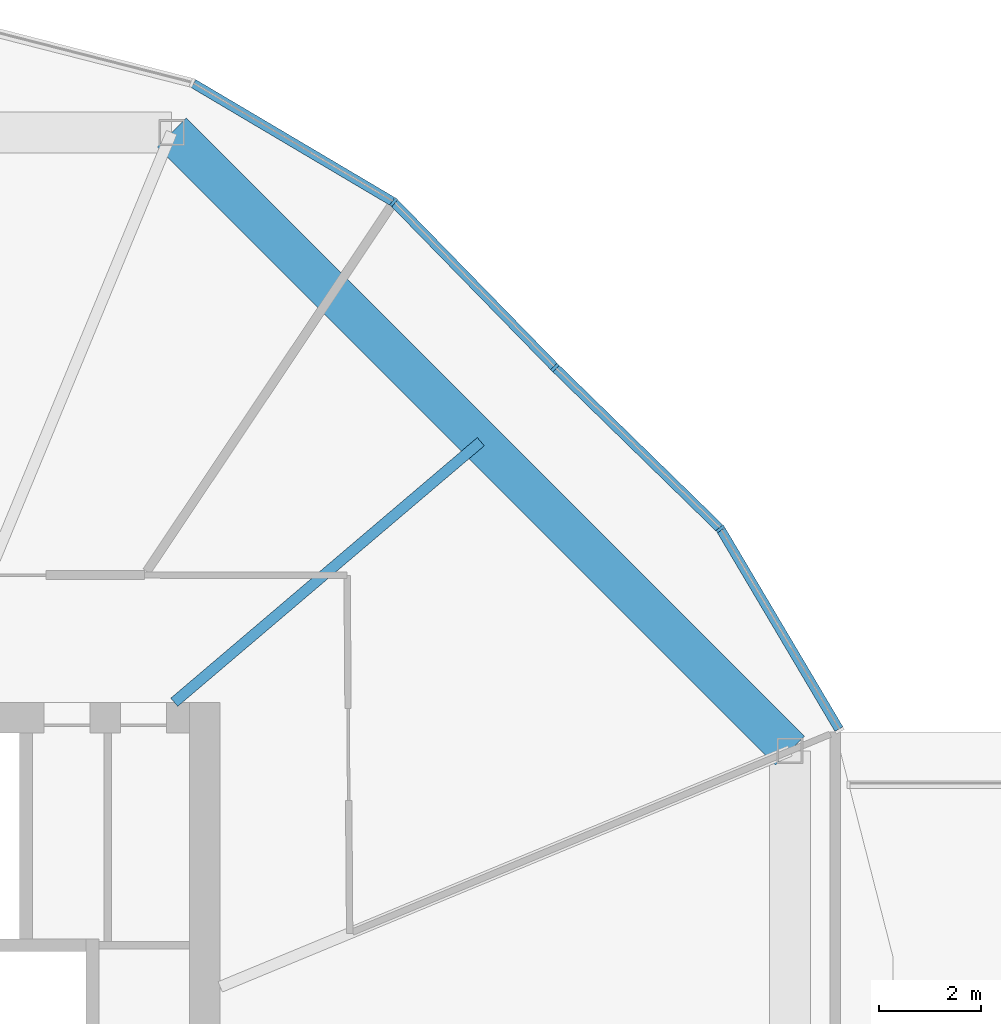
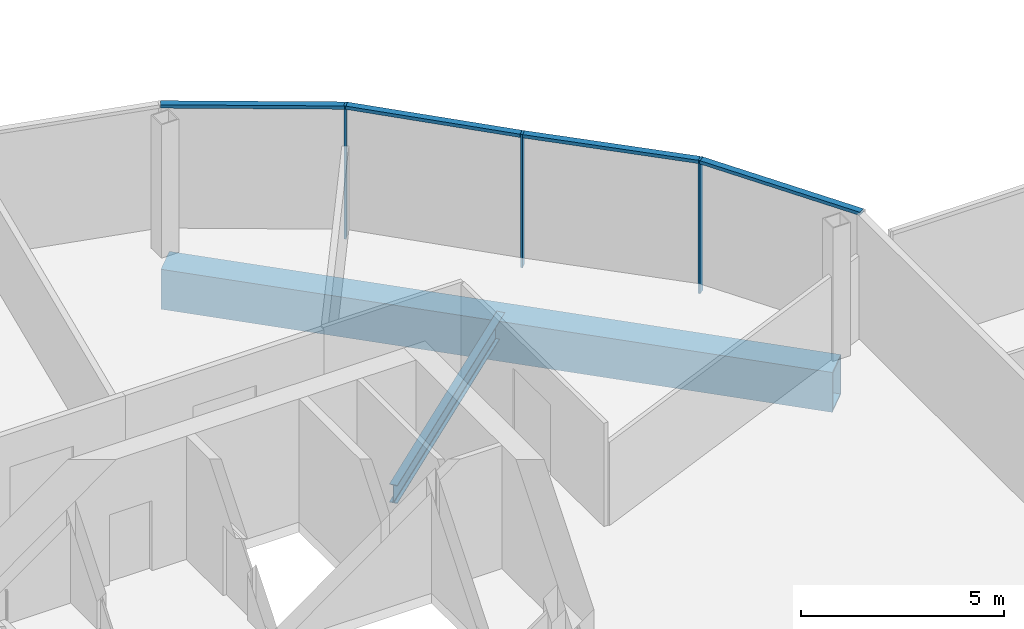
# One storey, part 10 of 25: 7 members, 2 beams, 2 elements without a shape of their own.
"""IFC4 building model written with IfcOpenShell, lengths in metres."""

from ifc_helpers import new_model, si_unit, direction, frame, origin, origin_2d, place, context, subcontext, project, spatial, rectangle, hollow_rectangle, i_section, extrude, material, material_profile, profile_set, type_object, element, aggregate, save


model = new_model("IFC4")

# Units and contexts
model_context = context("Model", 3, precision=1e-05, world=origin(), true_north=direction((0.0, 1.0)))
body_context = subcontext(model_context, "Body", "Model", "MODEL_VIEW")
ifc_project = project(units=[si_unit("LENGTHUNIT", "METRE"), si_unit("AREAUNIT", "SQUARE_METRE"), si_unit("VOLUMEUNIT", "CUBIC_METRE"), si_unit("PLANEANGLEUNIT", "RADIAN"), si_unit("MASSUNIT", "GRAM", prefix="KILO")], contexts=[model_context])

# Site, building, storey
site_placement = place(None, origin())
site = spatial("IfcSite", under=ifc_project, at=site_placement, CompositionType="ELEMENT")
building_placement = place(site_placement, origin())
building = spatial("IfcBuilding", under=site, at=building_placement, Name="Ogive Gate Towers", CompositionType="ELEMENT")
storey_placement = place(building_placement, frame((0.0, 0.0, 144.800048828125)))
storey = spatial("IfcBuildingStorey", under=building, at=storey_placement, Name="L34", CompositionType="ELEMENT", Elevation=144.800048828125)

# Beams
ifc_material_1 = material(Name="Steel SM460", Category="steel")
ifc_material_profile_1 = material_profile(ifc_material_1, hollow_rectangle(XDim=0.800048828125, YDim=1.199951171875, WallThickness=0.050048828125, at=origin_2d()), Name="BX 1200x800x50")
ifc_profile_set_1 = profile_set([ifc_material_profile_1], Name="Steel SM460")
beam_type_1 = type_object("IfcBeamType", Name="Edge girder BX 1200x800x50", PredefinedType="BEAM", material=ifc_profile_set_1)
beam_1_placement = place(storey_placement, frame((-15.360595703125, 8.549072265625, -0.900146484375), z_axis=(-0.707106781187, 0.707106781187, 0.0), x_axis=(-0.707106781187, -0.707106781187, 0.0)))
element("IfcBeam", 1, at=beam_1_placement, inside=storey, type_object=beam_type_1, Name="T1/L34/SBM021", PredefinedType="BEAM", context=body_context, shape_type="SweptSolid", body=[
    extrude(hollow_rectangle(XDim=0.800048828125, YDim=1.199951171875, WallThickness=0.050048828125, at=origin_2d()), origin(), (0.0, 0.0, 1.0), 17.098388671875),
])
ifc_material_2 = material(Name="Steel SM355", Category="steel")
ifc_material_profile_2 = material_profile(ifc_material_2, i_section(OverallWidth=0.2099609375, OverallDepth=0.550048828125, WebThickness=0.010986328125, FlangeThickness=0.01708984375, FilletRadius=0.02392578125, at=origin_2d()), Name="IPE 550")
ifc_profile_set_2 = profile_set([ifc_material_profile_2], Name="Steel SM355")
beam_type_2 = type_object("IfcBeamType", Name="Radial floor beam IPE 550", PredefinedType="BEAM", material=ifc_profile_set_2)
beam_2_placement = place(storey_placement, frame((-27.39990234375, 9.5, -0.574951171875), z_axis=(0.761988324045, 0.647590761222, 0.0), x_axis=(-0.647590761222, 0.761988324045, 0.0)))
element("IfcBeam", 2, at=beam_2_placement, inside=storey, type_object=beam_type_2, Name="T1/L34/SBM010", PredefinedType="BEAM", context=body_context, shape_type="SweptSolid", body=[
    extrude(i_section(OverallWidth=0.2099609375, OverallDepth=0.550048828125, WebThickness=0.010986328125, FlangeThickness=0.01708984375, FilletRadius=0.02392578125, at=origin_2d()), origin(), (0.0, 0.0, 1.0), 7.866455078125),
])

# Curtain wall, members
ifc_material_3 = material(Name="Pale metal aluminium", Category="aluminium")
curtain_wall_type = type_object("IfcCurtainWallType", Name="Tower unitised wall, high zone", PredefinedType="NOTDEFINED", material=ifc_material_3)
curtain_wall_1_placement = place(storey_placement, origin())
curtain_wall_1 = element("IfcCurtainWall", 3, at=curtain_wall_1_placement, inside=storey, type_object=curtain_wall_type, Name="CW2 T1 ECW01", PredefinedType="NOTDEFINED")
ifc_material_profile_3 = material_profile(ifc_material_3, rectangle(XDim=0.179931640625, YDim=0.06005859375, at=origin_2d()), Name="60 x 180 aluminium box")
ifc_profile_set_3 = profile_set([ifc_material_profile_3], Name="Pale metal aluminium")
member_type_1 = type_object("IfcMemberType", Name="Tower unitised wall, high zone mullion 60 x 180", PredefinedType="MULLION", material=ifc_profile_set_3)
member_1_placement = place(storey_placement, frame((-16.7216796875, 12.889892578125, -0.300048828125), z_axis=(0.0, 0.0, 1.0), x_axis=(0.786148223999, 0.618038000371, 0.0)))
member_1 = element("IfcMember", 4, at=member_1_placement, type_object=member_type_1, Name="CW2 mullion", PredefinedType="MULLION", context=body_context, shape_type="SweptSolid", body=[
    extrude(rectangle(XDim=0.179931640625, YDim=0.06005859375, at=origin_2d()), origin(), (0.0, 0.0, 1.0), 4.0),
])
member_2_placement = place(storey_placement, frame((-19.955810546875, 16.044189453125, -0.300048828125), z_axis=(0.0, 0.0, 1.0), x_axis=(0.698240387858, 0.715863367385, 0.0)))
member_2 = element("IfcMember", 5, at=member_2_placement, type_object=member_type_1, Name="CW2 mullion", PredefinedType="MULLION", context=body_context, shape_type="SweptSolid", body=[
    extrude(rectangle(XDim=0.179931640625, YDim=0.06005859375, at=origin_2d()), origin(), (0.0, 0.0, 1.0), 4.0),
])

# Curtain wall, member
curtain_wall_2_placement = place(storey_placement, origin())
curtain_wall_2 = element("IfcCurtainWall", 6, at=curtain_wall_2_placement, inside=storey, type_object=curtain_wall_type, Name="CW2 T1 ECW02", PredefinedType="NOTDEFINED")
member_3_placement = place(storey_placement, frame((-23.110107421875, 19.2783203125, -0.300048828125), z_axis=(0.0, 0.0, 1.0), x_axis=(0.618038000371, 0.786148223999, 0.0)))
member_3 = element("IfcMember", 7, at=member_3_placement, type_object=member_type_1, Name="CW2 mullion", PredefinedType="MULLION", context=body_context, shape_type="SweptSolid", body=[
    extrude(rectangle(XDim=0.179931640625, YDim=0.06005859375, at=origin_2d()), origin(), (0.0, 0.0, 1.0), 4.0),
])

# Member
ifc_material_profile_4 = material_profile(ifc_material_3, rectangle(XDim=0.179931640625, YDim=0.10009765625, at=origin_2d()), Name="100 x 180 aluminium box")
ifc_profile_set_4 = profile_set([ifc_material_profile_4], Name="Pale metal aluminium")
member_type_2 = type_object("IfcMemberType", Name="Tower unitised wall, high zone transom 100 x 180", PredefinedType="USERDEFINED", material=ifc_profile_set_4)
member_4_placement = place(storey_placement, frame((-14.404296875, 8.975830078125, 3.64990234375), z_axis=(-0.509482534209, 0.860480997661, 0.0), x_axis=(-0.860480997661, -0.509482534209, 0.0)))
member_4 = element("IfcMember", 8, at=member_4_placement, type_object=member_type_2, Name="CW2 transom", ObjectType="TRANSOM", PredefinedType="USERDEFINED", context=body_context, shape_type="SweptSolid", body=[
    extrude(rectangle(XDim=0.179931640625, YDim=0.10009765625, at=origin_2d()), origin(), (0.0, 0.0, 1.0), 4.519775390625),
])

member_5_placement = place(storey_placement, frame((-16.7421875, 12.909912109375, 3.64990234375), z_axis=(-0.71586738825, 0.698236265486, 0.0), x_axis=(-0.698236265486, -0.71586738825, 0.0)))
member_5 = element("IfcMember", 9, at=member_5_placement, type_object=member_type_2, Name="CW2 transom", ObjectType="TRANSOM", PredefinedType="USERDEFINED", context=body_context, shape_type="SweptSolid", body=[
    extrude(rectangle(XDim=0.179931640625, YDim=0.10009765625, at=origin_2d()), origin(), (0.0, 0.0, 1.0), 4.458740234375),
])

aggregate(curtain_wall_1, [member_1, member_4, member_2, member_5])

member_6_placement = place(storey_placement, frame((-19.976806640625, 16.06591796875, 3.64990234375), z_axis=(-0.698236265486, 0.71586738825, 0.0), x_axis=(-0.71586738825, -0.698236265486, 0.0)))
member_6 = element("IfcMember", 10, at=member_6_placement, type_object=member_type_2, Name="CW2 transom", ObjectType="TRANSOM", PredefinedType="USERDEFINED", context=body_context, shape_type="SweptSolid", body=[
    extrude(rectangle(XDim=0.179931640625, YDim=0.10009765625, at=origin_2d()), origin(), (0.0, 0.0, 1.0), 4.458740234375),
])

member_7_placement = place(storey_placement, frame((-23.135009765625, 19.29296875, 3.64990234375), z_axis=(-0.860480997661, 0.509482534209, 0.0), x_axis=(-0.509482534209, -0.860480997661, 0.0)))
member_7 = element("IfcMember", 11, at=member_7_placement, type_object=member_type_2, Name="CW2 transom", ObjectType="TRANSOM", PredefinedType="USERDEFINED", context=body_context, shape_type="SweptSolid", body=[
    extrude(rectangle(XDim=0.179931640625, YDim=0.10009765625, at=origin_2d()), origin(), (0.0, 0.0, 1.0), 4.519775390625),
])

aggregate(curtain_wall_2, [member_3, member_6, member_7])

save(model, "model.ifc")
